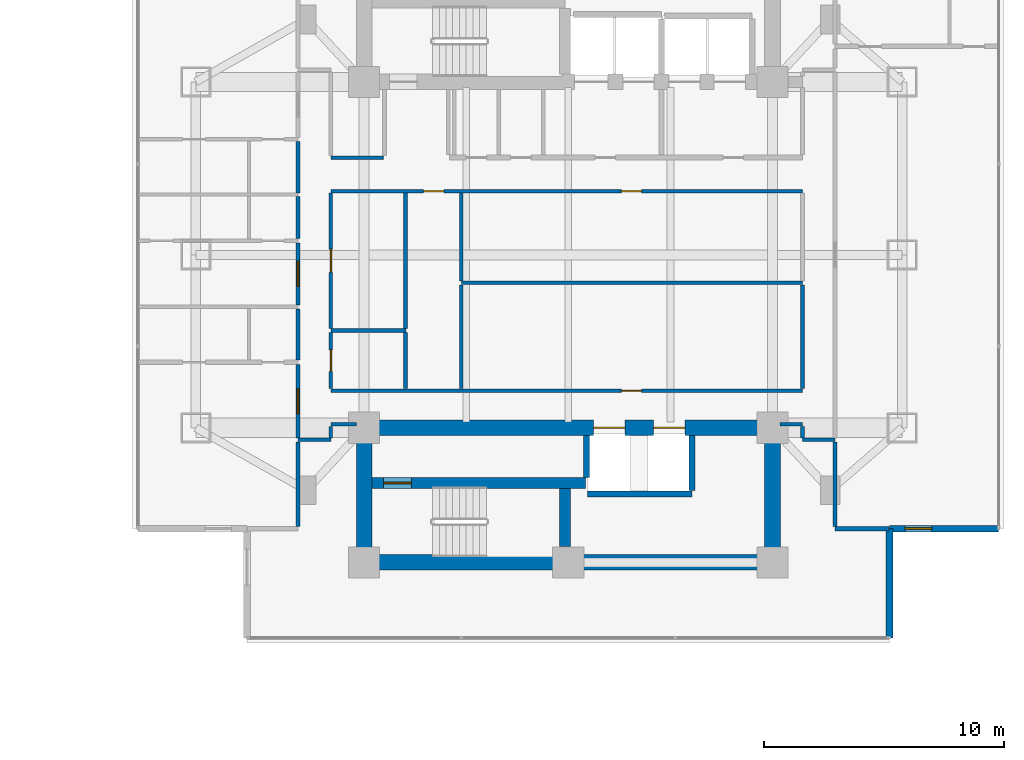
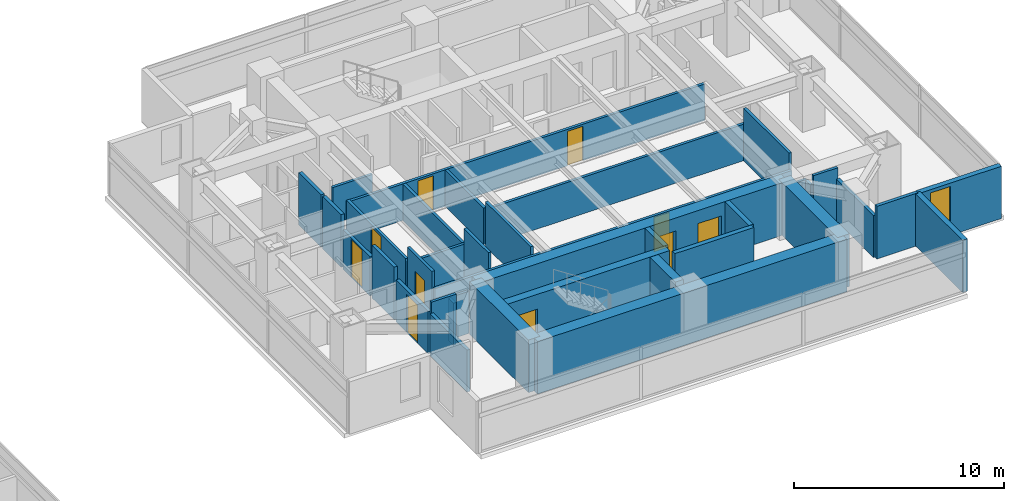
# One storey, part 17 of 25: 37 walls, 10 doors, 1 window, 11 openings.
"""IFC4 building model written with IfcOpenShell, lengths in metres."""

from ifc_helpers import new_model, si_unit, direction, frame, frame_2d, origin, place, context, subcontext, project, spatial, rectangle, extrude, material, layer, layer_set, type_object, element, fill, save


model = new_model("IFC4")

# Units and contexts
model_context = context("Model", 3, precision=1e-05, world=origin(), true_north=direction((0.0, 1.0)))
body_context = subcontext(model_context, "Body", "Model", "MODEL_VIEW")
ifc_project = project(units=[si_unit("LENGTHUNIT", "METRE"), si_unit("AREAUNIT", "SQUARE_METRE"), si_unit("VOLUMEUNIT", "CUBIC_METRE"), si_unit("PLANEANGLEUNIT", "RADIAN"), si_unit("MASSUNIT", "GRAM", prefix="KILO")], contexts=[model_context])

# Site, building, storey
site_placement = place(None, origin())
site = spatial("IfcSite", under=ifc_project, at=site_placement, CompositionType="ELEMENT")
building_placement = place(site_placement, origin())
building = spatial("IfcBuilding", under=site, at=building_placement, Name="Mirazonda Arch Towers", CompositionType="ELEMENT")
storey_placement = place(building_placement, frame((0.0, 0.0, 58.699951171875)))
storey = spatial("IfcBuildingStorey", under=building, at=storey_placement, Name="L16", CompositionType="ELEMENT", Elevation=58.699951171875)

# Wall, opening, door
ifc_material_1 = material(Name="Concrete C50/60", Category="concrete")
ifc_layer_1 = layer(ifc_material_1, 0.449951171875, Name="WALL-CORE-450")
ifc_layer_set_1 = layer_set([ifc_layer_1], Name="Concrete C50/60")
wall_type_1 = type_object("IfcWallType", Name="WALL-CORE-450", PredefinedType="SHEAR", material=ifc_layer_set_1)
wall_1_placement = place(storey_placement, frame((68.320068359375, 18.5, 0.0), z_axis=(0.0, 0.0, 1.0), x_axis=(1.0, 0.0, 0.0)))
wall_1 = element("IfcWall", 1, at=wall_1_placement, inside=storey, type_object=wall_type_1, Name="L16 Stair Core Shear Wall 014", PredefinedType="SHEAR", context=body_context, shape_type="SweptSolid", body=[
    extrude(rectangle(XDim=8.89990234375, YDim=0.449951171875, at=frame_2d((4.449951171875, 0.0))), origin(), (0.0, 0.0, 1.0), 3.06005859375),
])
opening_1_placement = place(wall_1_placement, frame((0.4951171875, 0.0, 0.0)))
opening_1 = element("IfcOpeningElement", 2, at=opening_1_placement, cuts=wall_1, Name="Opening DR-135", PredefinedType="OPENING", context=body_context, shape_type="SweptSolid", body=[
    extrude(rectangle(XDim=1.14990234375, YDim=2.199951171875, at=frame_2d((0.574951171875, 1.10009765625))), frame((0.0, 0.23486328125, 0.0), z_axis=(0.0, -1.0, 0.0), x_axis=(1.0, 0.0, 0.0)), (0.0, 0.0, 1.0), 0.469970703125),
])
ifc_material_2 = material(Name="Architectural Brushed Steel S355", Category="steel")
door_type_1 = type_object("IfcDoorType", Name="DOOR-STAIR-FD90-1150", OperationType="NOTDEFINED", PredefinedType="DOOR", material=ifc_material_2)
door_1_placement = place(opening_1_placement, origin())
door_1 = element("IfcDoor", 3, at=door_1_placement, inside=storey, type_object=door_type_1, Name="L16 East Protected Stair South Door", OperationType="SINGLE_SWING_LEFT", OverallHeight=2.199951171875, OverallWidth=1.14990234375, PredefinedType="DOOR", context=body_context, shape_type="SweptSolid", body=[
    extrude(rectangle(XDim=1.14990234375, YDim=2.199951171875, at=frame_2d((0.574951171875, 1.10009765625))), frame((0.0, 0.02490234375, 0.0), z_axis=(0.0, -1.0, 0.0), x_axis=(1.0, 0.0, 0.0)), (0.0, 0.0, 1.0), 0.050048828125),
])
fill(opening_1, door_1)

# Walls
wall_2_placement = place(storey_placement, frame((76.360107421875, 15.864990234375, 0.0), z_axis=(0.0, 0.0, 1.0), x_axis=(0.0, 1.0, 0.0)))
element("IfcWall", 4, at=wall_2_placement, inside=storey, type_object=wall_type_1, Name="L16 Stair Core Shear Wall 141", PredefinedType="SHEAR", context=body_context, shape_type="SweptSolid", body=[
    extrude(rectangle(XDim=2.39990234375, YDim=0.449951171875, at=frame_2d((1.199951171875, 0.0))), origin(), (0.0, 0.0, 1.0), 3.06005859375),
])
ifc_material_3 = material(Name="Concrete C60/75", Category="concrete")
ifc_layer_2 = layer(ifc_material_3, 0.64990234375, Name="WALL-CORE-650")
ifc_layer_set_2 = layer_set([ifc_layer_2], Name="Concrete C60/75")
wall_type_2 = type_object("IfcWallType", Name="WALL-CORE-650", PredefinedType="SHEAR", material=ifc_layer_set_2)
wall_3_placement = place(storey_placement, frame((68.0, 15.199951171875, 0.0), z_axis=(0.0, 0.0, 1.0), x_axis=(1.0, 0.0, 0.0)))
element("IfcWall", 5, at=wall_3_placement, inside=storey, type_object=wall_type_2, Name="L16 T2S-S Core Shear Wall", PredefinedType="SHEAR", context=body_context, shape_type="SweptSolid", body=[
    extrude(rectangle(XDim=17.0, YDim=0.64990234375, at=frame_2d((8.5, 0.0))), origin(), (0.0, 0.0, 1.0), 3.06005859375),
])
for number, where, z_axis, x_axis, name in (
    (6, (68.0, 15.199951171875, 0.0), (0.0, 0.0, 1.0), (0.0, 1.0, 0.0), "L16 T2S-W Core Shear Wall"),
    (7, (85.0, 15.199951171875, 0.0), (0.0, 0.0, 1.0), (0.0, 1.0, 0.0), "L16 T2S-E Core Shear Wall"),
):
    element("IfcWall", number, at=place(storey_placement, frame(where, z_axis=z_axis, x_axis=x_axis)), inside=storey, type_object=wall_type_2, Name=name, PredefinedType="SHEAR", context=body_context, shape_type="SweptSolid", body=[
        extrude(rectangle(XDim=5.60009765625, YDim=0.64990234375, at=frame_2d((2.800048828125, 0.0))), origin(), (0.0, 0.0, 1.0), 3.06005859375),
    ])

# Wall, openings, doors
wall_4_placement = place(storey_placement, frame((68.0, 20.800048828125, 0.0), z_axis=(0.0, 0.0, 1.0), x_axis=(1.0, 0.0, 0.0)))
wall_4 = element("IfcWall", 8, at=wall_4_placement, inside=storey, type_object=wall_type_2, Name="L16 T2S-N Core Shear Wall", PredefinedType="SHEAR", context=body_context, shape_type="SweptSolid", body=[
    extrude(rectangle(XDim=17.0, YDim=0.64990234375, at=frame_2d((8.5, 0.0))), origin(), (0.0, 0.0, 1.0), 3.06005859375),
])
opening_2_placement = place(wall_4_placement, frame((9.550048828125, 0.0, 0.0)))
opening_2 = element("IfcOpeningElement", 9, at=opening_2_placement, cuts=wall_4, Name="Opening LD-111", PredefinedType="OPENING", context=body_context, shape_type="SweptSolid", body=[
    extrude(rectangle(XDim=1.300048828125, YDim=2.300048828125, at=frame_2d((0.64990234375, 1.14990234375))), frame((0.0, 0.3349609375, 0.0), z_axis=(0.0, -1.0, 0.0), x_axis=(1.0, 0.0, 0.0)), (0.0, 0.0, 1.0), 0.669921875),
])
opening_3_placement = place(wall_4_placement, frame((12.050048828125, 0.0, 0.0)))
opening_3 = element("IfcOpeningElement", 10, at=opening_3_placement, cuts=wall_4, Name="Opening LD-111", PredefinedType="OPENING", context=body_context, shape_type="SweptSolid", body=[
    extrude(rectangle(XDim=1.300048828125, YDim=2.300048828125, at=frame_2d((0.64990234375, 1.14990234375))), frame((0.0, 0.3349609375, 0.0), z_axis=(0.0, -1.0, 0.0), x_axis=(1.0, 0.0, 0.0)), (0.0, 0.0, 1.0), 0.669921875),
])
door_type_2 = type_object("IfcDoorType", Name="DOOR-LIFT-LAND-1300", OperationType="NOTDEFINED", PredefinedType="DOOR", material=ifc_material_2)
door_2_placement = place(opening_2_placement, origin())
door_2 = element("IfcDoor", 11, at=door_2_placement, inside=storey, type_object=door_type_2, Name="L16 Lift Landing Sliding Door PL-T2H1", OperationType="DOUBLE_DOOR_SLIDING", OverallHeight=2.300048828125, OverallWidth=1.300048828125, PredefinedType="DOOR", context=body_context, shape_type="SweptSolid", body=[
    extrude(rectangle(XDim=1.300048828125, YDim=2.300048828125, at=frame_2d((0.64990234375, 1.14990234375))), frame((0.0, 0.02490234375, 0.0), z_axis=(0.0, -1.0, 0.0), x_axis=(1.0, 0.0, 0.0)), (0.0, 0.0, 1.0), 0.050048828125),
])
fill(opening_2, door_2)
door_3_placement = place(opening_3_placement, origin())
door_3 = element("IfcDoor", 12, at=door_3_placement, inside=storey, type_object=door_type_2, Name="L16 Lift Landing Sliding Door PL-T2H2", OperationType="DOUBLE_DOOR_SLIDING", OverallHeight=2.300048828125, OverallWidth=1.300048828125, PredefinedType="DOOR", context=body_context, shape_type="SweptSolid", body=[
    extrude(rectangle(XDim=1.300048828125, YDim=2.300048828125, at=frame_2d((0.64990234375, 1.14990234375))), frame((0.0, 0.02490234375, 0.0), z_axis=(0.0, -1.0, 0.0), x_axis=(1.0, 0.0, 0.0)), (0.0, 0.0, 1.0), 0.050048828125),
])
fill(opening_3, door_3)

# Wall, opening, window
ifc_material_4 = material(Name="Precast Concrete C40/50", Category="concrete")
ifc_layer_3 = layer(ifc_material_4, 0.280029296875, Name="WALL-EXT-WALL-280")
ifc_layer_set_3 = layer_set([ifc_layer_3], Name="Precast Concrete C40/50")
wall_type_3 = type_object("IfcWallType", Name="WALL-EXT-WALL-280", PredefinedType="SOLIDWALL", material=ifc_layer_set_3)
wall_5_placement = place(storey_placement, frame((89.8701171875, 16.603515625, 0.0), z_axis=(0.0, 0.0, 1.0), x_axis=(1.0, 0.0, 0.0)))
wall_5 = element("IfcWall", 13, at=wall_5_placement, inside=storey, type_object=wall_type_3, Name="L16 T2 Corner Notch Return Wall WL-L16-T2-CSE1", PredefinedType="SOLIDWALL", context=body_context, shape_type="SweptSolid", body=[
    extrude(rectangle(XDim=4.5458984375, YDim=0.280029296875, at=frame_2d((2.27294921875, 0.0))), origin(), (0.0, 0.0, 1.0), 3.0400390625),
])
opening_4_placement = place(wall_5_placement, frame((0.64990234375, 0.0, 0.85009765625)))
opening_4 = element("IfcOpeningElement", 14, at=opening_4_placement, cuts=wall_5, Name="Opening WN-108", PredefinedType="OPENING", context=body_context, shape_type="SweptSolid", body=[
    extrude(rectangle(XDim=1.10009765625, YDim=2.0, at=frame_2d((0.550048828125, 1.0))), frame((0.0, 0.14990234375, 0.0), z_axis=(0.0, -1.0, 0.0), x_axis=(1.0, 0.0, 0.0)), (0.0, 0.0, 1.0), 0.300048828125),
])
ifc_material_5 = material(Name="Insulated Low-E Solar Glass", Category="glass")
window_type = type_object("IfcWindowType", Name="WIN-NOTCH-1100x2000", PartitioningType="SINGLE_PANEL", PredefinedType="WINDOW", material=ifc_material_5)
window_placement = place(opening_4_placement, origin())
window = element("IfcWindow", 15, at=window_placement, inside=storey, type_object=window_type, Name="L16 Punched Facade Window WN-L16-T2-CSE1", OverallHeight=2.0, OverallWidth=1.10009765625, PartitioningType="SINGLE_PANEL", PredefinedType="WINDOW", context=body_context, shape_type="SweptSolid", body=[
    extrude(rectangle(XDim=1.10009765625, YDim=2.0, at=frame_2d((0.550048828125, 1.0))), frame((0.0, 0.030029296875, 0.0), z_axis=(0.0, -1.0, 0.0), x_axis=(1.0, 0.0, 0.0)), (0.0, 0.0, 1.0), 0.06005859375),
])
fill(opening_4, window)

# Walls
wall_6_placement = place(storey_placement, frame((89.8701171875, 12.057373046875, 0.0), z_axis=(0.0, 0.0, 1.0), x_axis=(0.0, 1.0, 0.0)))
element("IfcWall", 16, at=wall_6_placement, inside=storey, type_object=wall_type_3, Name="L16 T2 Corner Notch Return Wall WL-L16-T2-CSE2", PredefinedType="SOLIDWALL", context=body_context, shape_type="SweptSolid", body=[
    extrude(rectangle(XDim=4.546142578125, YDim=0.280029296875, at=frame_2d((2.27294921875, 0.0))), origin(), (0.0, 0.0, 1.0), 3.0400390625),
])
ifc_material_6 = material(Name="Fire-Rated Gypsum Stud Partition")
ifc_layer_4 = layer(ifc_material_6, 0.14990234375, Name="WALL-PART-CORR-150")
ifc_layer_set_4 = layer_set([ifc_layer_4], Name="Fire-Rated Gypsum Stud Partition")
wall_type_4 = type_object("IfcWallType", Name="WALL-PART-CORR-150", PredefinedType="PARTITIONING", material=ifc_layer_set_4)
wall_7_placement = place(storey_placement, frame((65.25, 20.300048828125, 0.0), z_axis=(0.0, 0.0, 1.0), x_axis=(1.0, 0.0, 0.0)))
element("IfcWall", 17, at=wall_7_placement, inside=storey, type_object=wall_type_4, Name="L16 Interior Partition 017", PredefinedType="PARTITIONING", context=body_context, shape_type="SweptSolid", body=[
    extrude(rectangle(XDim=1.3701171875, YDim=0.14990234375, at=frame_2d((0.68505859375, 0.0))), origin(), (0.0, 0.0, 1.0), 3.06005859375),
])
wall_8_placement = place(storey_placement, frame((86.25, 20.300048828125, 0.0), z_axis=(0.0, 0.0, 1.0), x_axis=(1.0, 0.0, 0.0)))
element("IfcWall", 18, at=wall_8_placement, inside=storey, type_object=wall_type_4, Name="L16 Interior Partition 018", PredefinedType="PARTITIONING", context=body_context, shape_type="SweptSolid", body=[
    extrude(rectangle(XDim=1.35009765625, YDim=0.14990234375, at=frame_2d((0.675048828125, 0.0))), origin(), (0.0, 0.0, 1.0), 3.06005859375),
])
wall_9_placement = place(storey_placement, frame((66.6201171875, 20.949951171875, 0.0), z_axis=(0.0, 0.0, 1.0), x_axis=(1.0, 0.0, 0.0)))
element("IfcWall", 19, at=wall_9_placement, inside=storey, type_object=wall_type_4, Name="L16 Interior Partition 019", PredefinedType="PARTITIONING", context=body_context, shape_type="SweptSolid", body=[
    extrude(rectangle(XDim=1.059814453125, YDim=0.14990234375, at=frame_2d((0.52978515625, 0.0))), origin(), (0.0, 0.0, 1.0), 2.4521484375),
])
wall_10_placement = place(storey_placement, frame((85.320068359375, 20.949951171875, 0.0), z_axis=(0.0, 0.0, 1.0), x_axis=(1.0, 0.0, 0.0)))
element("IfcWall", 20, at=wall_10_placement, inside=storey, type_object=wall_type_4, Name="L16 Interior Partition 020", PredefinedType="PARTITIONING", context=body_context, shape_type="SweptSolid", body=[
    extrude(rectangle(XDim=0.929931640625, YDim=0.14990234375, at=frame_2d((0.46484375, 0.0))), origin(), (0.0, 0.0, 1.0), 2.4521484375),
])

# Wall, opening, door
wall_11_placement = place(storey_placement, frame((66.6201171875, 22.35009765625, 0.0), z_axis=(0.0, 0.0, 1.0), x_axis=(1.0, 0.0, 0.0)))
wall_11 = element("IfcWall", 21, at=wall_11_placement, inside=storey, type_object=wall_type_4, Name="L16 Interior Partition 022", PredefinedType="PARTITIONING", context=body_context, shape_type="SweptSolid", body=[
    extrude(rectangle(XDim=19.6298828125, YDim=0.14990234375, at=frame_2d((9.81494140625, 0.0))), origin(), (0.0, 0.0, 1.0), 2.125),
])
opening_5_placement = place(wall_11_placement, frame((12.0849609375, 0.0, 0.0)))
opening_5 = element("IfcOpeningElement", 22, at=opening_5_placement, cuts=wall_11, Name="Opening DR-128", PredefinedType="OPENING", context=body_context, shape_type="SweptSolid", body=[
    extrude(rectangle(XDim=0.85009765625, YDim=2.010009765625, at=frame_2d((0.425048828125, 1.0048828125))), frame((0.0, 0.0849609375, 0.0), z_axis=(0.0, -1.0, 0.0), x_axis=(1.0, 0.0, 0.0)), (0.0, 0.0, 1.0), 0.169921875),
])
door_type_3 = type_object("IfcDoorType", Name="DOOR-RISER-FD60-850", OperationType="NOTDEFINED", PredefinedType="DOOR", material=ifc_material_2)
door_4_placement = place(opening_5_placement, origin())
door_4 = element("IfcDoor", 23, at=door_4_placement, inside=storey, type_object=door_type_3, Name="L16 Business Reading Study Door", OperationType="SINGLE_SWING_LEFT", OverallHeight=2.010009765625, OverallWidth=0.85009765625, PredefinedType="DOOR", context=body_context, shape_type="SweptSolid", body=[
    extrude(rectangle(XDim=0.85009765625, YDim=2.010009765625, at=frame_2d((0.425048828125, 1.0048828125))), frame((0.0, 0.02490234375, 0.0), z_axis=(0.0, -1.0, 0.0), x_axis=(1.0, 0.0, 0.0)), (0.0, 0.0, 1.0), 0.050048828125),
])
fill(opening_5, door_4)

# Walls
wall_12_placement = place(storey_placement, frame((66.6201171875, 24.85009765625, 0.0), z_axis=(0.0, 0.0, 1.0), x_axis=(1.0, 0.0, 0.0)))
element("IfcWall", 24, at=wall_12_placement, inside=storey, type_object=wall_type_4, Name="L16 Interior Partition 027", PredefinedType="PARTITIONING", context=body_context, shape_type="SweptSolid", body=[
    extrude(rectangle(XDim=3.1298828125, YDim=0.14990234375, at=frame_2d((1.56494140625, 0.0))), origin(), (0.0, 0.0, 1.0), 2.125),
])
wall_13_placement = place(storey_placement, frame((72.050048828125, 26.83203125, 0.0), z_axis=(0.0, 0.0, 1.0), x_axis=(1.0, 0.0, 0.0)))
element("IfcWall", 25, at=wall_13_placement, inside=storey, type_object=wall_type_4, Name="L16 Interior Partition 030", PredefinedType="PARTITIONING", context=body_context, shape_type="SweptSolid", body=[
    extrude(rectangle(XDim=14.199951171875, YDim=0.14990234375, at=frame_2d((7.10009765625, 0.0))), origin(), (0.0, 0.0, 1.0), 2.125),
])

# Wall, openings, doors
wall_14_placement = place(storey_placement, frame((66.6201171875, 30.64990234375, 0.0), z_axis=(0.0, 0.0, 1.0), x_axis=(1.0, 0.0, 0.0)))
wall_14 = element("IfcWall", 26, at=wall_14_placement, inside=storey, type_object=wall_type_4, Name="L16 Interior Partition 036", PredefinedType="PARTITIONING", context=body_context, shape_type="SweptSolid", body=[
    extrude(rectangle(XDim=19.6298828125, YDim=0.14990234375, at=frame_2d((9.81494140625, 0.0))), origin(), (0.0, 0.0, 1.0), 2.125),
])
opening_6_placement = place(wall_14_placement, frame((3.85498046875, 0.0, 0.0)))
opening_6 = element("IfcOpeningElement", 27, at=opening_6_placement, cuts=wall_14, Name="Opening DR-128", PredefinedType="OPENING", context=body_context, shape_type="SweptSolid", body=[
    extrude(rectangle(XDim=0.85009765625, YDim=2.010009765625, at=frame_2d((0.425048828125, 1.0048828125))), frame((0.0, 0.0849609375, 0.0), z_axis=(0.0, -1.0, 0.0), x_axis=(1.0, 0.0, 0.0)), (0.0, 0.0, 1.0), 0.169921875),
])
opening_7_placement = place(wall_14_placement, frame((12.0849609375, 0.0, 0.0)))
opening_7 = element("IfcOpeningElement", 28, at=opening_7_placement, cuts=wall_14, Name="Opening DR-128", PredefinedType="OPENING", context=body_context, shape_type="SweptSolid", body=[
    extrude(rectangle(XDim=0.85009765625, YDim=2.010009765625, at=frame_2d((0.425048828125, 1.0048828125))), frame((0.0, 0.0849609375, 0.0), z_axis=(0.0, -1.0, 0.0), x_axis=(1.0, 0.0, 0.0)), (0.0, 0.0, 1.0), 0.169921875),
])
door_5_placement = place(opening_6_placement, origin())
door_5 = element("IfcDoor", 29, at=door_5_placement, inside=storey, type_object=door_type_3, Name="L16 L16 East Courtyard Study Door", OperationType="SINGLE_SWING_RIGHT", OverallHeight=2.010009765625, OverallWidth=0.85009765625, PredefinedType="DOOR", context=body_context, shape_type="SweptSolid", body=[
    extrude(rectangle(XDim=0.85009765625, YDim=2.010009765625, at=frame_2d((0.425048828125, 1.0048828125))), frame((0.0, 0.02490234375, 0.0), z_axis=(0.0, -1.0, 0.0), x_axis=(1.0, 0.0, 0.0)), (0.0, 0.0, 1.0), 0.050048828125),
])
fill(opening_6, door_5)
door_6_placement = place(opening_7_placement, origin())
door_6 = element("IfcDoor", 30, at=door_6_placement, inside=storey, type_object=door_type_3, Name="L16 Concierge Salon Door", OperationType="SINGLE_SWING_RIGHT", OverallHeight=2.010009765625, OverallWidth=0.85009765625, PredefinedType="DOOR", context=body_context, shape_type="SweptSolid", body=[
    extrude(rectangle(XDim=0.85009765625, YDim=2.010009765625, at=frame_2d((0.425048828125, 1.0048828125))), frame((0.0, 0.02490234375, 0.0), z_axis=(0.0, -1.0, 0.0), x_axis=(1.0, 0.0, 0.0)), (0.0, 0.0, 1.0), 0.050048828125),
])
fill(opening_7, door_6)

# Walls
wall_15_placement = place(storey_placement, frame((66.6201171875, 32.050048828125, 0.0), z_axis=(0.0, 0.0, 1.0), x_axis=(1.0, 0.0, 0.0)))
element("IfcWall", 31, at=wall_15_placement, inside=storey, type_object=wall_type_4, Name="L16 Interior Partition 038", PredefinedType="PARTITIONING", context=body_context, shape_type="SweptSolid", body=[
    extrude(rectangle(XDim=2.179931640625, YDim=0.14990234375, at=frame_2d((1.08984375, 0.0))), origin(), (0.0, 0.0, 1.0), 2.125),
])
wall_16_placement = place(storey_placement, frame((66.6201171875, 20.385009765625, 0.0), z_axis=(0.0, 0.0, 1.0), x_axis=(0.0, 1.0, 0.0)))
element("IfcWall", 32, at=wall_16_placement, inside=storey, type_object=wall_type_4, Name="L16 Interior Partition 128", PredefinedType="PARTITIONING", context=body_context, shape_type="SweptSolid", body=[
    extrude(rectangle(XDim=0.47998046875, YDim=0.14990234375, at=frame_2d((0.239990234375, 0.0))), origin(), (0.0, 0.0, 1.0), 2.4521484375),
])

# Wall, opening, door
wall_17_placement = place(storey_placement, frame((66.6201171875, 22.43505859375, 0.0), z_axis=(0.0, 0.0, 1.0), x_axis=(0.0, 1.0, 0.0)))
wall_17 = element("IfcWall", 33, at=wall_17_placement, inside=storey, type_object=wall_type_4, Name="L16 Interior Partition 129", PredefinedType="PARTITIONING", context=body_context, shape_type="SweptSolid", body=[
    extrude(rectangle(XDim=2.329833984375, YDim=0.14990234375, at=frame_2d((1.1650390625, 0.0))), origin(), (0.0, 0.0, 1.0), 3.06005859375),
])
opening_8_placement = place(wall_17_placement, frame((0.715087890625, 0.0, 0.0)))
opening_8 = element("IfcOpeningElement", 34, at=opening_8_placement, cuts=wall_17, Name="Opening DR-120", PredefinedType="OPENING", context=body_context, shape_type="SweptSolid", body=[
    extrude(rectangle(XDim=0.89990234375, YDim=2.10009765625, at=frame_2d((0.449951171875, 1.050048828125))), frame((0.0, 0.0849609375, 0.0), z_axis=(0.0, -1.0, 0.0), x_axis=(1.0, 0.0, 0.0)), (0.0, 0.0, 1.0), 0.169921875),
])
door_type_4 = type_object("IfcDoorType", Name="DOOR-WC-900", OperationType="NOTDEFINED", PredefinedType="DOOR", material=ifc_material_2)
door_7_placement = place(opening_8_placement, origin())
door_7 = element("IfcDoor", 35, at=door_7_placement, inside=storey, type_object=door_type_4, Name="L16 Tower 2 Common Accessible WC Door", OperationType="SINGLE_SWING_RIGHT", OverallHeight=2.10009765625, OverallWidth=0.89990234375, PredefinedType="DOOR", context=body_context, shape_type="SweptSolid", body=[
    extrude(rectangle(XDim=0.89990234375, YDim=2.10009765625, at=frame_2d((0.449951171875, 1.050048828125))), frame((0.0, 0.02490234375, 0.0), z_axis=(0.0, -1.0, 0.0), x_axis=(1.0, 0.0, 0.0)), (0.0, 0.0, 1.0), 0.050048828125),
])
fill(opening_8, door_7)

wall_18_placement = place(storey_placement, frame((66.6201171875, 24.93505859375, 0.0), z_axis=(0.0, 0.0, 1.0), x_axis=(0.0, 1.0, 0.0)))
wall_18 = element("IfcWall", 36, at=wall_18_placement, inside=storey, type_object=wall_type_4, Name="L16 Interior Partition 130", PredefinedType="PARTITIONING", context=body_context, shape_type="SweptSolid", body=[
    extrude(rectangle(XDim=5.6298828125, YDim=0.14990234375, at=frame_2d((2.81494140625, 0.0))), origin(), (0.0, 0.0, 1.0), 2.279052734375),
])
opening_9_placement = place(wall_18_placement, frame((2.340087890625, 0.0, 0.0)))
opening_9 = element("IfcOpeningElement", 37, at=opening_9_placement, cuts=wall_18, Name="Opening DR-104", PredefinedType="OPENING", context=body_context, shape_type="SweptSolid", body=[
    extrude(rectangle(XDim=0.949951171875, YDim=2.14990234375, at=frame_2d((0.47509765625, 1.074951171875))), frame((0.0, 0.0849609375, 0.0), z_axis=(0.0, -1.0, 0.0), x_axis=(1.0, 0.0, 0.0)), (0.0, 0.0, 1.0), 0.169921875),
])
door_type_5 = type_object("IfcDoorType", Name="DOOR-ROOM-950", OperationType="NOTDEFINED", PredefinedType="DOOR", material=ifc_material_2)
door_8_placement = place(opening_9_placement, origin())
door_8 = element("IfcDoor", 38, at=door_8_placement, inside=storey, type_object=door_type_5, Name="L16 L16 East Courtyard Reading Study Door", OperationType="SINGLE_SWING_LEFT", OverallHeight=2.14990234375, OverallWidth=0.949951171875, PredefinedType="DOOR", context=body_context, shape_type="SweptSolid", body=[
    extrude(rectangle(XDim=0.949951171875, YDim=2.14990234375, at=frame_2d((0.47509765625, 1.074951171875))), frame((0.0, 0.02490234375, 0.0), z_axis=(0.0, -1.0, 0.0), x_axis=(1.0, 0.0, 0.0)), (0.0, 0.0, 1.0), 0.050048828125),
])
fill(opening_9, door_8)

# Walls
wall_19_placement = place(storey_placement, frame((69.723388671875, 22.43505859375, 0.0), z_axis=(0.0, 0.0, 1.0), x_axis=(0.0, 1.0, 0.0)))
element("IfcWall", 39, at=wall_19_placement, inside=storey, type_object=wall_type_4, Name="L16 Interior Partition 133", PredefinedType="PARTITIONING", context=body_context, shape_type="SweptSolid", body=[
    extrude(rectangle(XDim=2.329833984375, YDim=0.14990234375, at=frame_2d((1.1650390625, 0.0))), origin(), (0.0, 0.0, 1.0), 3.06005859375),
])
wall_20_placement = place(storey_placement, frame((69.723388671875, 24.93505859375, 0.0), z_axis=(0.0, 0.0, 1.0), x_axis=(0.0, 1.0, 0.0)))
element("IfcWall", 40, at=wall_20_placement, inside=storey, type_object=wall_type_4, Name="L16 Interior Partition 134", PredefinedType="PARTITIONING", context=body_context, shape_type="SweptSolid", body=[
    extrude(rectangle(XDim=5.6298828125, YDim=0.14990234375, at=frame_2d((2.81494140625, 0.0))), origin(), (0.0, 0.0, 1.0), 2.125),
])
wall_21_placement = place(storey_placement, frame((72.050048828125, 22.43505859375, 0.0), z_axis=(0.0, 0.0, 1.0), x_axis=(0.0, 1.0, 0.0)))
element("IfcWall", 41, at=wall_21_placement, inside=storey, type_object=wall_type_4, Name="L16 Interior Partition 137", PredefinedType="PARTITIONING", context=body_context, shape_type="SweptSolid", body=[
    extrude(rectangle(XDim=4.31201171875, YDim=0.14990234375, at=frame_2d((2.156005859375, 0.0))), origin(), (0.0, 0.0, 1.0), 2.589111328125),
])
wall_22_placement = place(storey_placement, frame((72.050048828125, 26.9169921875, 0.0), z_axis=(0.0, 0.0, 1.0), x_axis=(0.0, 1.0, 0.0)))
element("IfcWall", 42, at=wall_22_placement, inside=storey, type_object=wall_type_4, Name="L16 Interior Partition 138", PredefinedType="PARTITIONING", context=body_context, shape_type="SweptSolid", body=[
    extrude(rectangle(XDim=3.64794921875, YDim=0.14990234375, at=frame_2d((1.823974609375, 0.0))), origin(), (0.0, 0.0, 1.0), 2.125),
])
wall_23_placement = place(storey_placement, frame((86.25, 20.385009765625, 0.0), z_axis=(0.0, 0.0, 1.0), x_axis=(0.0, 1.0, 0.0)))
element("IfcWall", 43, at=wall_23_placement, inside=storey, type_object=wall_type_4, Name="L16 Interior Partition 148", PredefinedType="PARTITIONING", context=body_context, shape_type="SweptSolid", body=[
    extrude(rectangle(XDim=0.47998046875, YDim=0.14990234375, at=frame_2d((0.239990234375, 0.0))), origin(), (0.0, 0.0, 1.0), 2.4521484375),
])
wall_24_placement = place(storey_placement, frame((86.25, 22.43505859375, 0.0), z_axis=(0.0, 0.0, 1.0), x_axis=(0.0, 1.0, 0.0)))
element("IfcWall", 44, at=wall_24_placement, inside=storey, type_object=wall_type_4, Name="L16 Interior Partition 149", PredefinedType="PARTITIONING", context=body_context, shape_type="SweptSolid", body=[
    extrude(rectangle(XDim=4.31201171875, YDim=0.14990234375, at=frame_2d((2.156005859375, 0.0))), origin(), (0.0, 0.0, 1.0), 3.06005859375),
])
ifc_material_7 = material(Name="Fire-Rated Gypsum Twin-Stud Assembly")
ifc_layer_5 = layer(ifc_material_7, 0.179931640625, Name="WALL-PART-DEMISE-180")
ifc_layer_set_5 = layer_set([ifc_layer_5], Name="Fire-Rated Gypsum Twin-Stud Assembly")
wall_type_5 = type_object("IfcWallType", Name="WALL-PART-DEMISE-180", PredefinedType="PARTITIONING", material=ifc_layer_set_5)
wall_25_placement = place(storey_placement, frame((87.60009765625, 16.60302734375, 0.0), z_axis=(0.0, 0.0, 1.0), x_axis=(1.0, 0.0, 0.0)))
element("IfcWall", 45, at=wall_25_placement, inside=storey, type_object=wall_type_5, Name="L16 Interior Partition 010", PredefinedType="PARTITIONING", context=body_context, shape_type="SweptSolid", body=[
    extrude(rectangle(XDim=2.25, YDim=0.179931640625, at=frame_2d((1.125, 0.0))), origin(), (0.0, 0.0, 1.0), 3.06005859375),
])
wall_26_placement = place(storey_placement, frame((65.25, 16.702880859375, 0.0), z_axis=(0.0, 0.0, 1.0), x_axis=(0.0, 1.0, 0.0)))
element("IfcWall", 46, at=wall_26_placement, inside=storey, type_object=wall_type_5, Name="L16 Interior Partition 120", PredefinedType="PARTITIONING", context=body_context, shape_type="SweptSolid", body=[
    extrude(rectangle(XDim=3.51220703125, YDim=0.179931640625, at=frame_2d((1.756103515625, 0.0))), origin(), (0.0, 0.0, 1.0), 2.43603515625),
])

# Wall, opening, door
wall_27_placement = place(storey_placement, frame((65.25, 20.385009765625, 0.0), z_axis=(0.0, 0.0, 1.0), x_axis=(0.0, 1.0, 0.0)))
wall_27 = element("IfcWall", 47, at=wall_27_placement, inside=storey, type_object=wall_type_5, Name="L16 Interior Partition 121", PredefinedType="PARTITIONING", context=body_context, shape_type="SweptSolid", body=[
    extrude(rectangle(XDim=3.049072265625, YDim=0.179931640625, at=frame_2d((1.5244140625, 0.0))), origin(), (0.0, 0.0, 1.0), 2.4521484375),
])
opening_10_placement = place(wall_27_placement, frame((0.99951171875, 0.0, 0.0)))
opening_10 = element("IfcOpeningElement", 48, at=opening_10_placement, cuts=wall_27, Name="Opening DR-121", PredefinedType="OPENING", context=body_context, shape_type="SweptSolid", body=[
    extrude(rectangle(XDim=1.050048828125, YDim=2.199951171875, at=frame_2d((0.52490234375, 1.10009765625))), frame((0.0, 0.099853515625, 0.0), z_axis=(0.0, -1.0, 0.0), x_axis=(1.0, 0.0, 0.0)), (0.0, 0.0, 1.0), 0.199951171875),
])
door_type_6 = type_object("IfcDoorType", Name="DOOR-SUITE-FD60-1050", OperationType="NOTDEFINED", PredefinedType="DOOR", material=ifc_material_2)
door_9_placement = place(opening_10_placement, origin())
door_9 = element("IfcDoor", 49, at=door_9_placement, inside=storey, type_object=door_type_6, Name="L16 King Hotel Guestroom 1 Door", OperationType="SINGLE_SWING_LEFT", OverallHeight=2.199951171875, OverallWidth=1.050048828125, PredefinedType="DOOR", context=body_context, shape_type="SweptSolid", body=[
    extrude(rectangle(XDim=1.050048828125, YDim=2.199951171875, at=frame_2d((0.52490234375, 1.10009765625))), frame((0.0, 0.02490234375, 0.0), z_axis=(0.0, -1.0, 0.0), x_axis=(1.0, 0.0, 0.0)), (0.0, 0.0, 1.0), 0.050048828125),
])
fill(opening_10, door_9)

# Wall
wall_28_placement = place(storey_placement, frame((65.25, 23.634033203125, 0.0), z_axis=(0.0, 0.0, 1.0), x_axis=(0.0, 1.0, 0.0)))
element("IfcWall", 50, at=wall_28_placement, inside=storey, type_object=wall_type_5, Name="L16 Interior Partition 122", PredefinedType="PARTITIONING", context=body_context, shape_type="SweptSolid", body=[
    extrude(rectangle(XDim=2.114990234375, YDim=0.179931640625, at=frame_2d((1.0576171875, 0.0))), origin(), (0.0, 0.0, 1.0), 3.06005859375),
])

# Wall, opening, door
wall_29_placement = place(storey_placement, frame((65.25, 25.9189453125, 0.0), z_axis=(0.0, 0.0, 1.0), x_axis=(0.0, 1.0, 0.0)))
wall_29 = element("IfcWall", 51, at=wall_29_placement, inside=storey, type_object=wall_type_5, Name="L16 Interior Partition 123", PredefinedType="PARTITIONING", context=body_context, shape_type="SweptSolid", body=[
    extrude(rectangle(XDim=2.583984375, YDim=0.179931640625, at=frame_2d((1.2919921875, 0.0))), origin(), (0.0, 0.0, 1.0), 2.279052734375),
])
opening_11_placement = place(wall_29_placement, frame((0.76708984375, 0.0, 0.0)))
opening_11 = element("IfcOpeningElement", 52, at=opening_11_placement, cuts=wall_29, Name="Opening DR-121", PredefinedType="OPENING", context=body_context, shape_type="SweptSolid", body=[
    extrude(rectangle(XDim=1.050048828125, YDim=2.199951171875, at=frame_2d((0.52490234375, 1.10009765625))), frame((0.0, 0.099853515625, 0.0), z_axis=(0.0, -1.0, 0.0), x_axis=(1.0, 0.0, 0.0)), (0.0, 0.0, 1.0), 0.199951171875),
])
door_10_placement = place(opening_11_placement, origin())
door_10 = element("IfcDoor", 53, at=door_10_placement, inside=storey, type_object=door_type_6, Name="L16 Twin Hotel Guestroom 2 Door", OperationType="SINGLE_SWING_RIGHT", OverallHeight=2.199951171875, OverallWidth=1.050048828125, PredefinedType="DOOR", context=body_context, shape_type="SweptSolid", body=[
    extrude(rectangle(XDim=1.050048828125, YDim=2.199951171875, at=frame_2d((0.52490234375, 1.10009765625))), frame((0.0, 0.02490234375, 0.0), z_axis=(0.0, -1.0, 0.0), x_axis=(1.0, 0.0, 0.0)), (0.0, 0.0, 1.0), 0.050048828125),
])
fill(opening_11, door_10)

# Walls
wall_30_placement = place(storey_placement, frame((65.25, 28.673095703125, 0.0), z_axis=(0.0, 0.0, 1.0), x_axis=(0.0, 1.0, 0.0)))
element("IfcWall", 54, at=wall_30_placement, inside=storey, type_object=wall_type_5, Name="L16 Interior Partition 124", PredefinedType="PARTITIONING", context=body_context, shape_type="SweptSolid", body=[
    extrude(rectangle(XDim=1.762451171875, YDim=0.179931640625, at=frame_2d((0.88134765625, 0.0))), origin(), (0.0, 0.0, 1.0), 3.06005859375),
])
wall_31_placement = place(storey_placement, frame((65.25, 30.58056640625, 0.0), z_axis=(0.0, 0.0, 1.0), x_axis=(0.0, 1.0, 0.0)))
element("IfcWall", 55, at=wall_31_placement, inside=storey, type_object=wall_type_5, Name="L16 Interior Partition 125", PredefinedType="PARTITIONING", context=body_context, shape_type="SweptSolid", body=[
    extrude(rectangle(XDim=2.142333984375, YDim=0.179931640625, at=frame_2d((1.0712890625, 0.0))), origin(), (0.0, 0.0, 1.0), 3.06005859375),
])
wall_32_placement = place(storey_placement, frame((87.60009765625, 16.702880859375, 0.0), z_axis=(0.0, 0.0, 1.0), x_axis=(0.0, 1.0, 0.0)))
element("IfcWall", 56, at=wall_32_placement, inside=storey, type_object=wall_type_5, Name="L16 Interior Partition 153", PredefinedType="PARTITIONING", context=body_context, shape_type="SweptSolid", body=[
    extrude(rectangle(XDim=3.51220703125, YDim=0.179931640625, at=frame_2d((1.756103515625, 0.0))), origin(), (0.0, 0.0, 1.0), 2.43603515625),
])
ifc_material_8 = material(Name="Concrete C40/50", Category="concrete")
ifc_layer_6 = layer(ifc_material_8, 0.25, Name="WALL-SHAFT-250")
ifc_layer_set_6 = layer_set([ifc_layer_6], Name="Concrete C40/50")
wall_type_6 = type_object("IfcWallType", Name="WALL-SHAFT-250", PredefinedType="SOLIDWALL", material=ifc_layer_set_6)
wall_33_placement = place(storey_placement, frame((77.300048828125, 18.050048828125, 0.0), z_axis=(0.0, 0.0, 1.0), x_axis=(1.0, 0.0, 0.0)))
element("IfcWall", 57, at=wall_33_placement, inside=storey, type_object=wall_type_6, Name="L16 Interior Partition 011", PredefinedType="SOLIDWALL", context=body_context, shape_type="SweptSolid", body=[
    extrude(rectangle(XDim=4.349853515625, YDim=0.25, at=frame_2d((2.1748046875, 0.0))), origin(), (0.0, 0.0, 1.0), 3.06005859375),
])
wall_34_placement = place(storey_placement, frame((77.260009765625, 18.735107421875, 0.0), z_axis=(0.0, 0.0, 1.0), x_axis=(0.0, 1.0, 0.0)))
element("IfcWall", 58, at=wall_34_placement, inside=storey, type_object=wall_type_6, Name="L16 Interior Partition 143", PredefinedType="SOLIDWALL", context=body_context, shape_type="SweptSolid", body=[
    extrude(rectangle(XDim=1.744873046875, YDim=0.25, at=frame_2d((0.87255859375, 0.0))), origin(), (0.0, 0.0, 1.0), 3.06005859375),
])
wall_35_placement = place(storey_placement, frame((81.64990234375, 18.18505859375, 0.0), z_axis=(0.0, 0.0, 1.0), x_axis=(0.0, 1.0, 0.0)))
element("IfcWall", 59, at=wall_35_placement, inside=storey, type_object=wall_type_6, Name="L16 Interior Partition 146", PredefinedType="SOLIDWALL", context=body_context, shape_type="SweptSolid", body=[
    extrude(rectangle(XDim=2.294921875, YDim=0.25, at=frame_2d((1.1474609375, 0.0))), origin(), (0.0, 0.0, 1.0), 3.06005859375),
])

save(model, "model.ifc")
